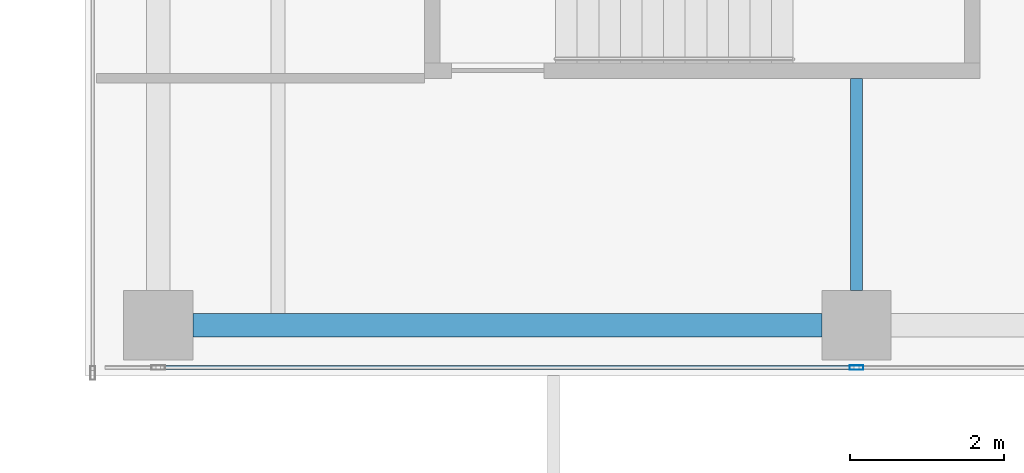
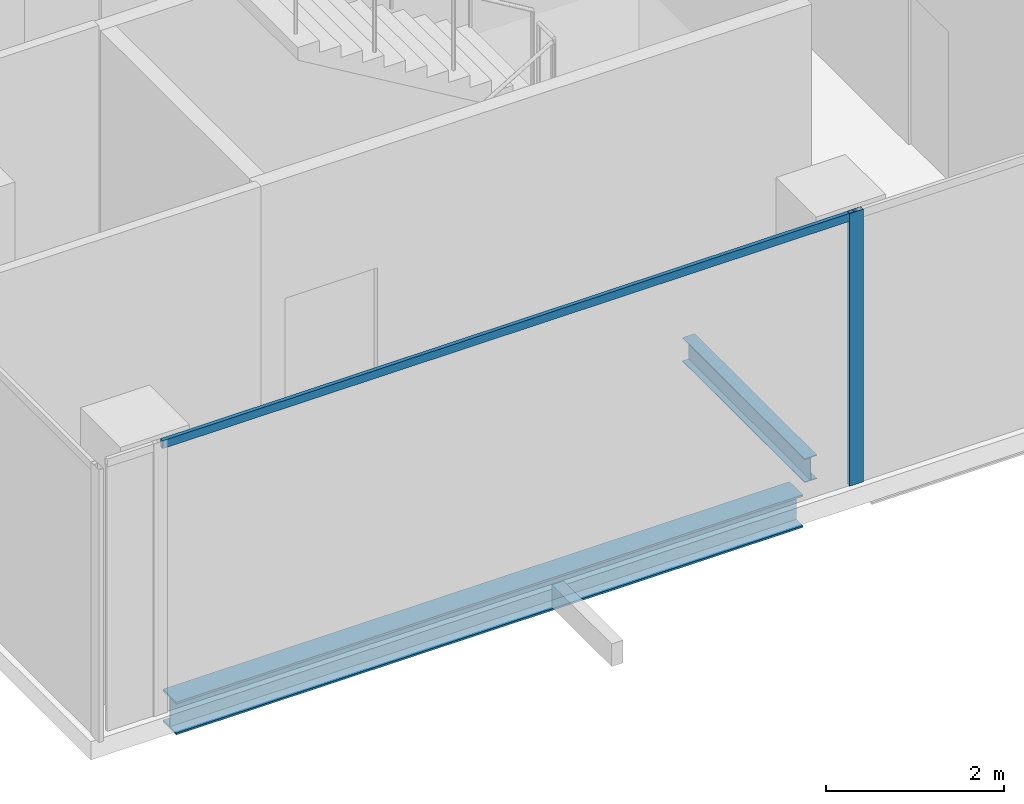
# One storey, part 3 of 36: 2 beams, 2 members, 1 element without a shape of its own.
"""IFC4 building model written with IfcOpenShell, lengths in metres."""

from ifc_helpers import new_model, si_unit, direction, frame, origin, origin_2d, place, context, subcontext, project, spatial, hollow_rectangle, i_section, extrude, source, transform, mapped, material, material_profile, profile_set, type_object, element, aggregate, save


model = new_model("IFC4")

# Units and contexts
model_context = context("Model", 3, precision=1e-05, world=origin(), true_north=direction((0.0, 1.0)))
body_context = subcontext(model_context, "Body", "Model", "MODEL_VIEW")
ifc_project = project(units=[si_unit("LENGTHUNIT", "METRE"), si_unit("AREAUNIT", "SQUARE_METRE"), si_unit("VOLUMEUNIT", "CUBIC_METRE"), si_unit("PLANEANGLEUNIT", "RADIAN"), si_unit("MASSUNIT", "GRAM", prefix="KILO")], contexts=[model_context])

# Site, building, storey
site_placement = place(None, origin())
site = spatial("IfcSite", under=ifc_project, at=site_placement, CompositionType="ELEMENT")
building_placement = place(site_placement, origin())
building = spatial("IfcBuilding", under=site, at=building_placement, Name="Khomas Fold Tower", CompositionType="ELEMENT")
storey_placement = place(building_placement, frame((0.0, 0.0, 230.199951171875)))
storey = spatial("IfcBuildingStorey", under=building, at=storey_placement, Name="L51", CompositionType="ELEMENT", Elevation=230.199951171875)

# Beams
ifc_material_1 = material(Name="Steel S355", Category="steel")
ifc_material_profile_1 = material_profile(ifc_material_1, i_section(OverallWidth=0.159912109375, OverallDepth=0.330078125, WebThickness=0.007568359375, FlangeThickness=0.011474609375, at=origin_2d()), Name="IPE 330")
ifc_profile_set_1 = profile_set([ifc_material_profile_1], Name="Steel S355")
beam_type_1 = type_object("IfcBeamType", Name="IPE 330 beam JB1", PredefinedType="BEAM", material=ifc_profile_set_1)
shared_shape_1 = source(origin(), body_context, "Body", "SweptSolid", [
    extrude(i_section(OverallWidth=0.159912109375, OverallDepth=0.330078125, WebThickness=0.007568359375, FlangeThickness=0.011474609375, at=origin_2d()), origin(), (0.0, 0.0, 1.0), 2.75),
])
beam_1_placement = place(storey_placement, frame((19.5, 5.60009765625, -0.4150390625), z_axis=(0.0, 1.0, 0.0), x_axis=(-1.0, 0.0, 0.0)))
element("IfcBeam", 1, at=beam_1_placement, inside=storey, type_object=beam_type_1, Name="JB1", PredefinedType="BEAM", context=body_context, shape_type="MappedRepresentation", body=[
    mapped(shared_shape_1, transform((0.0, 0.0, 0.0))),
])
ifc_material_2 = material(Name="Steel S355", Category="steel")
ifc_material_profile_2 = material_profile(ifc_material_2, i_section(OverallWidth=0.300048828125, OverallDepth=0.449951171875, WebThickness=0.013916015625, FlangeThickness=0.02587890625, at=origin_2d()), Name="HE 450 B")
ifc_profile_set_2 = profile_set([ifc_material_profile_2], Name="Steel S355")
beam_type_2 = type_object("IfcBeamType", Name="HE 450 B spandrel SB4", PredefinedType="SPANDREL", material=ifc_profile_set_2)
shared_shape_2 = source(origin(), body_context, "Body", "SweptSolid", [
    extrude(i_section(OverallWidth=0.300048828125, OverallDepth=0.449951171875, WebThickness=0.013916015625, FlangeThickness=0.02587890625, at=origin_2d()), origin(), (0.0, 0.0, 1.0), 8.150146484375),
])
beam_2_placement = place(storey_placement, frame((10.89990234375, 5.14990234375, -0.474853515625), z_axis=(1.0, 0.0, 0.0), x_axis=(0.0, 1.0, 0.0)))
element("IfcBeam", 2, at=beam_2_placement, inside=storey, type_object=beam_type_2, Name="SB4", PredefinedType="SPANDREL", context=body_context, shape_type="MappedRepresentation", body=[
    mapped(shared_shape_2, transform((0.0, 0.0, 0.0))),
])

# Curtain wall, members
ifc_material_3 = material(Name="Aluminium framed double glazing", Category="aluminium")
curtain_wall_type = type_object("IfcCurtainWallType", Name="SK-Unitised clear-glass wall, office floors CW2", PredefinedType="NOTDEFINED", material=ifc_material_3)
curtain_wall_placement = place(storey_placement, origin())
curtain_wall = element("IfcCurtainWall", 3, at=curtain_wall_placement, inside=storey, type_object=curtain_wall_type, Name="CW2 run L51 00-0", PredefinedType="NOTDEFINED")
ifc_material_4 = material(Name="Aluminium", Category="aluminium")
ifc_material_profile_3 = material_profile(ifc_material_4, hollow_rectangle(XDim=0.06005859375, YDim=0.179931640625, WallThickness=0.00390625, at=origin_2d()), Name="SK-Unitised clear-glass wall, office floors mullion CW2-M")
ifc_profile_set_3 = profile_set([ifc_material_profile_3], Name="Aluminium")
member_type_1 = type_object("IfcMemberType", Name="SK-Unitised clear-glass wall, office floors mullion CW2-M", PredefinedType="MULLION", material=ifc_profile_set_3)
shared_shape_3 = source(origin(), body_context, "Body", "SweptSolid", [
    extrude(hollow_rectangle(XDim=0.06005859375, YDim=0.179931640625, WallThickness=0.00390625, at=origin_2d()), origin(), (0.0, 0.0, 1.0), 3.75),
])
member_1_placement = place(storey_placement, frame((19.5, 4.60009765625, 0.0), z_axis=(0.0, 0.0, 1.0), x_axis=(0.0, 1.0, 0.0)))
member_1 = element("IfcMember", 4, at=member_1_placement, type_object=member_type_1, Name="CW2 mullion 3", PredefinedType="MULLION", context=body_context, shape_type="MappedRepresentation", body=[
    mapped(shared_shape_3, transform((0.0, 0.0, 0.0))),
])
ifc_material_5 = material(Name="Aluminium", Category="aluminium")
ifc_material_profile_4 = material_profile(ifc_material_5, hollow_rectangle(XDim=0.050048828125, YDim=0.110107421875, WallThickness=0.00390625, at=origin_2d()), Name="SK-Unitised clear-glass wall, office floors transom CW2-T")
ifc_profile_set_4 = profile_set([ifc_material_profile_4], Name="Aluminium")
member_type_2 = type_object("IfcMemberType", Name="SK-Unitised clear-glass wall, office floors transom CW2-T", PredefinedType="USERDEFINED", material=ifc_profile_set_4)
shared_shape_4 = source(origin(), body_context, "Body", "SweptSolid", [
    extrude(hollow_rectangle(XDim=0.050048828125, YDim=0.110107421875, WallThickness=0.00390625, at=origin_2d()), origin(), (0.0, 0.0, 1.0), 8.989990234375),
])
member_2_placement = place(storey_placement, frame((10.47998046875, 4.60009765625, 3.695068359375), z_axis=(1.0, 0.0, 0.0), x_axis=(0.0, 1.0, 0.0)))
member_2 = element("IfcMember", 5, at=member_2_placement, type_object=member_type_2, Name="CW2 transom 2", ObjectType="TRANSOM", PredefinedType="USERDEFINED", context=body_context, shape_type="MappedRepresentation", body=[
    mapped(shared_shape_4, transform((0.0, 0.0, 0.0))),
])
aggregate(curtain_wall, [member_1, member_2])

save(model, "model.ifc")
